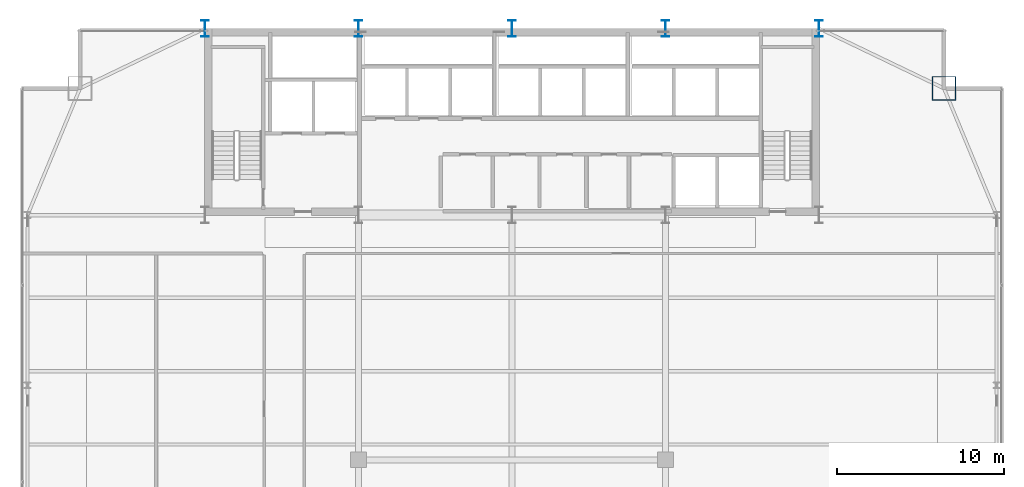
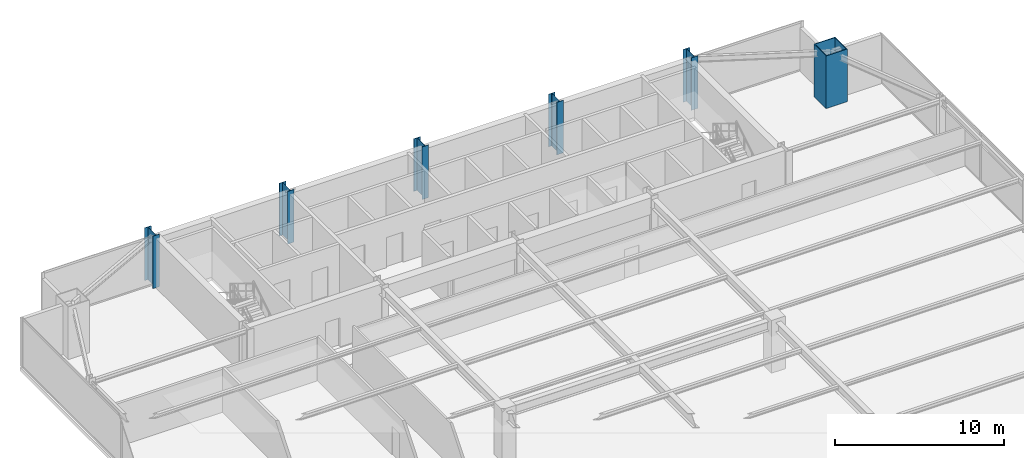
# One storey, part 3 of 32: 6 columns.
"""IFC4 building model written with IfcOpenShell, lengths in metres."""

from ifc_helpers import new_model, si_unit, direction, frame, origin, origin_2d, place, context, subcontext, project, spatial, hollow_rectangle, i_section, extrude, source, transform, mapped, material, material_profile, profile_set, type_object, type_shapes, element, save


model = new_model("IFC4")

# Units and contexts
model_context = context("Model", 3, precision=1e-05, world=origin(), true_north=direction((0.0, 1.0)))
body_context = subcontext(model_context, "Body", "Model", "MODEL_VIEW")
ifc_project = project(units=[si_unit("LENGTHUNIT", "METRE"), si_unit("AREAUNIT", "SQUARE_METRE"), si_unit("VOLUMEUNIT", "CUBIC_METRE"), si_unit("PLANEANGLEUNIT", "RADIAN"), si_unit("MASSUNIT", "GRAM", prefix="KILO")], contexts=[model_context])

# Site, building, storey
site_placement = place(None, origin())
site = spatial("IfcSite", under=ifc_project, at=site_placement, CompositionType="ELEMENT")
building_placement = place(site_placement, origin())
building = spatial("IfcBuilding", under=site, at=building_placement, Name="Varnel Quay Broadcast Tower", CompositionType="ELEMENT")
storey_placement = place(building_placement, frame((0.0, 0.0, 90.800048828125)))
storey = spatial("IfcBuildingStorey", under=building, at=storey_placement, Name="L21", CompositionType="ELEMENT", Elevation=90.800048828125)

# Columns
ifc_material = material(Name="Structural Steel CSA G40.21 350WT", Category="steel")
ifc_material_profile_1 = material_profile(ifc_material, i_section(OverallWidth=0.449951171875, OverallDepth=1.0, WebThickness=0.01611328125, FlangeThickness=0.030029296875, FilletRadius=0.01611328125, at=origin_2d()), Name="WWF1000X362")
ifc_profile_set_1 = profile_set([ifc_material_profile_1], Name="Structural Steel CSA G40.21 350WT")
column_type_1 = type_object("IfcColumnType", Name="Col_WWF1000X362", PredefinedType="COLUMN", material=ifc_profile_set_1)
shared_shape_1 = source(origin(), body_context, "Body", "SweptSolid", [
    extrude(i_section(OverallWidth=0.449951171875, OverallDepth=1.0, WebThickness=0.01611328125, FlangeThickness=0.030029296875, FilletRadius=0.01611328125, at=origin_2d()), origin(), (0.0, 0.0, 1.0), 3.800048828125),
])
type_shapes(column_type_1, [shared_shape_1])
for number, where, z_axis, x_axis, name in (
    (1, (15.60009765625, 46.800048828125, 0.0), (0.0, 0.0, 1.0), (1.0, 0.0, 0.0), "L21 Column CC-N1"),
    (2, (24.800048828125, 46.800048828125, 0.0), (0.0, 0.0, 1.0), (1.0, 0.0, 0.0), "L21 Column CC-N2"),
    (3, (34.0, 46.800048828125, 0.0), (0.0, 0.0, 1.0), (1.0, 0.0, 0.0), "L21 Column CC-N3"),
    (4, (43.199951171875, 46.800048828125, 0.0), (0.0, 0.0, 1.0), (1.0, 0.0, 0.0), "L21 Column CC-N4"),
    (5, (52.39990234375, 46.800048828125, 0.0), (0.0, 0.0, 1.0), (1.0, 0.0, 0.0), "L21 Column CC-N5"),
):
    element("IfcColumn", number, at=place(storey_placement, frame(where, z_axis=z_axis, x_axis=x_axis)), inside=storey, type_object=column_type_1, Name=name, PredefinedType="COLUMN", context=body_context, shape_type="MappedRepresentation", body=[
        mapped(shared_shape_1, transform((0.0, 0.0, 0.0), x_axis=(1.0, 0.0, 0.0), y_axis=(0.0, 1.0, 0.0), z_axis=(0.0, 0.0, 1.0), scale=1.0)),
    ])
ifc_material_profile_2 = material_profile(ifc_material, hollow_rectangle(XDim=1.449951171875, YDim=1.449951171875, WallThickness=0.054931640625, at=origin_2d()), Name="BOX1450X1450X55")
ifc_profile_set_2 = profile_set([ifc_material_profile_2], Name="Structural Steel CSA G40.21 350WT")
column_type_2 = type_object("IfcColumnType", Name="Col_BOX1450X1450X55", PredefinedType="COLUMN", material=ifc_profile_set_2)
shared_shape_2 = source(origin(), body_context, "Body", "SweptSolid", [
    extrude(hollow_rectangle(XDim=1.449951171875, YDim=1.449951171875, WallThickness=0.054931640625, at=origin_2d()), origin(), (0.0, 0.0, 1.0), 3.800048828125),
])
type_shapes(column_type_2, [shared_shape_2])
column_placement = place(storey_placement, frame((59.89990234375, 43.199951171875, 0.0), z_axis=(0.0, 0.0, 1.0), x_axis=(1.0, 0.0, 0.0)))
element("IfcColumn", 6, at=column_placement, inside=storey, type_object=column_type_2, Name="L21 Column MC-NE", PredefinedType="COLUMN", context=body_context, shape_type="MappedRepresentation", body=[
    mapped(shared_shape_2, transform((0.0, 0.0, 0.0), x_axis=(1.0, 0.0, 0.0), y_axis=(0.0, 1.0, 0.0), z_axis=(0.0, 0.0, 1.0), scale=1.0)),
])

save(model, "model.ifc")
